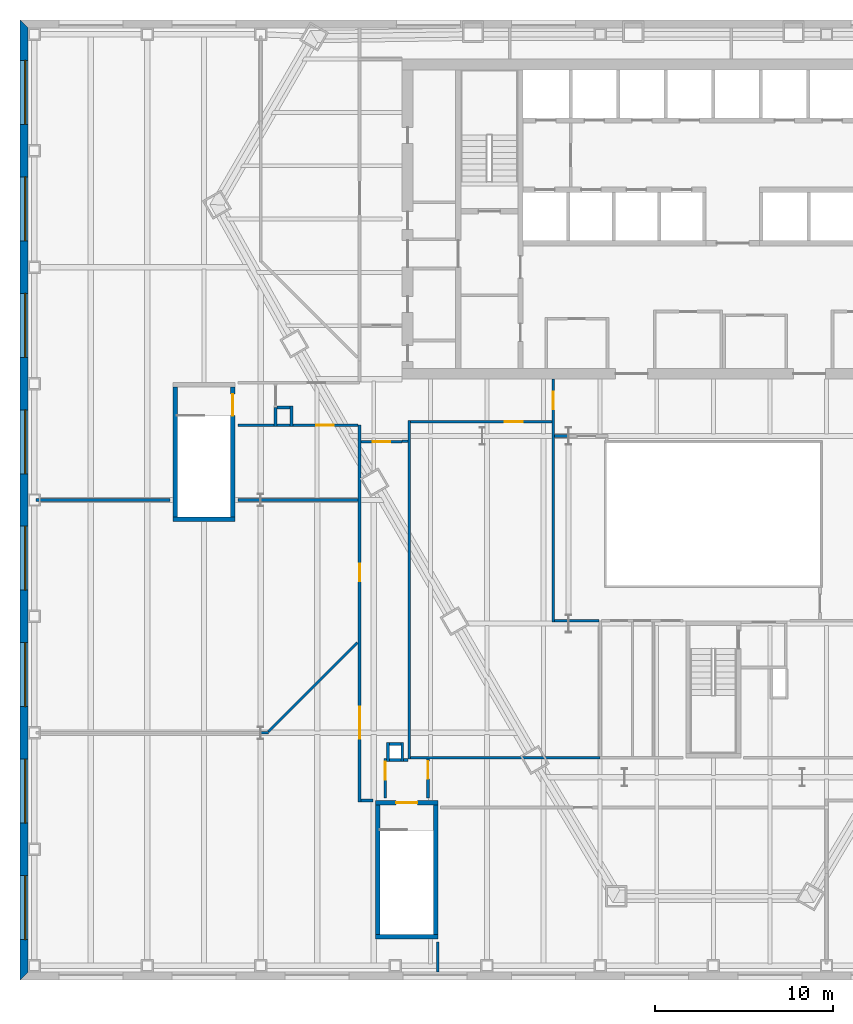
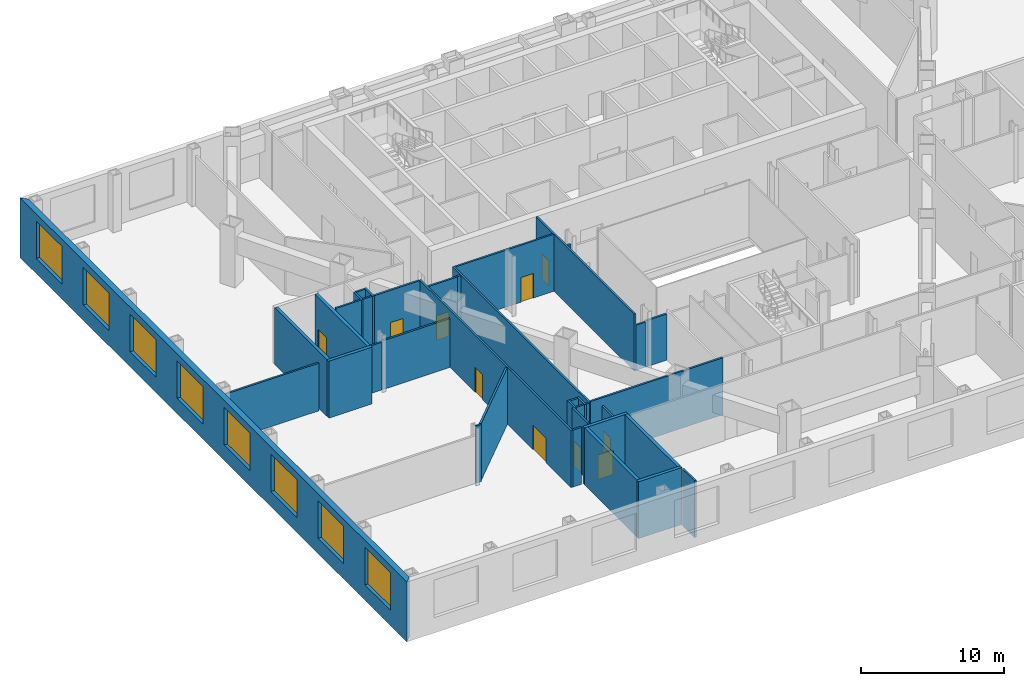
# One storey, part 8 of 17: 38 walls, 10 doors, 8 windows, 18 openings.
"""IFC4 building model written with IfcOpenShell, lengths in metres."""

from ifc_helpers import new_model, si_unit, direction, frame, frame_2d, origin, place, context, subcontext, project, spatial, polyline, rectangle, outline, extrude, material, layer, layer_set, type_object, element, fill, save


model = new_model("IFC4")

# Units and contexts
model_context = context("Model", 3, precision=1e-05, world=origin(), true_north=direction((0.0, 1.0)))
body_context = subcontext(model_context, "Body", "Model", "MODEL_VIEW")
ifc_project = project(units=[si_unit("LENGTHUNIT", "METRE"), si_unit("AREAUNIT", "SQUARE_METRE"), si_unit("VOLUMEUNIT", "CUBIC_METRE"), si_unit("PLANEANGLEUNIT", "RADIAN"), si_unit("MASSUNIT", "GRAM", prefix="KILO")], contexts=[model_context])

# Site, building, storey
site_placement = place(None, origin())
site = spatial("IfcSite", under=ifc_project, at=site_placement, CompositionType="ELEMENT")
building_placement = place(site_placement, origin())
building = spatial("IfcBuilding", under=site, at=building_placement, Name="Njiva Tower", CompositionType="ELEMENT")
storey_placement = place(building_placement, frame((0.0, 0.0, 23.7)))
storey = spatial("IfcBuildingStorey", under=building, at=storey_placement, Name="L04", CompositionType="ELEMENT", Elevation=23.7)

# Walls
ifc_material_1 = material(Name="Gypsum board on steel studs", Category="gypsum")
ifc_layer_1 = layer(ifc_material_1, 0.15)
ifc_layer_set_1 = layer_set([ifc_layer_1], Name="Gypsum board on steel studs")
wall_type_1 = type_object("IfcWallType", Name="WT21 Compartment wall 150", PredefinedType="PARTITIONING", material=ifc_layer_set_1)
wall_1_placement = place(storey_placement, frame((-25.467, -19.9, 0.0), z_axis=(0.0, 0.0, 1.0), x_axis=(1.0, 0.0, 0.0)))
element("IfcWall", 1, at=wall_1_placement, inside=storey, type_object=wall_type_1, Name="Partition L04-P001A", PredefinedType="PARTITIONING", context=body_context, shape_type="SweptSolid", body=[
    extrude(rectangle(XDim=0.441, YDim=0.15, at=frame_2d((0.2205, 0.0))), origin(), (0.0, 0.0, 1.0), 4.85),
])
wall_2_placement = place(storey_placement, frame((-38.1, -6.8, 0.0), z_axis=(0.0, 0.0, 1.0), x_axis=(1.0, 0.0, 0.0)))
element("IfcWall", 2, at=wall_2_placement, inside=storey, type_object=wall_type_1, Name="Partition L04-P002", PredefinedType="PARTITIONING", context=body_context, shape_type="SweptSolid", body=[
    extrude(rectangle(XDim=7.55, YDim=0.15, at=frame_2d((3.775, 0.0))), origin(), (0.0, 0.0, 1.0), 4.06),
])
wall_3_placement = place(storey_placement, frame((-26.75, -6.8, 0.0), z_axis=(0.0, 0.0, 1.0), x_axis=(1.0, 0.0, 0.0)))
element("IfcWall", 3, at=wall_3_placement, inside=storey, type_object=wall_type_1, Name="Partition L04-P003", PredefinedType="PARTITIONING", context=body_context, shape_type="SweptSolid", body=[
    extrude(rectangle(XDim=1.283, YDim=0.15, at=frame_2d((0.6415, 0.0))), origin(), (0.0, 0.0, 1.0), 4.06),
])
wall_4_placement = place(storey_placement, frame((-25.467, -6.8, 0.0), z_axis=(0.0, 0.0, 1.0), x_axis=(1.0, 0.0, 0.0)))
element("IfcWall", 4, at=wall_4_placement, inside=storey, type_object=wall_type_1, Name="Partition L04-P003A", PredefinedType="PARTITIONING", context=body_context, shape_type="SweptSolid", body=[
    extrude(rectangle(XDim=5.492, YDim=0.15, at=frame_2d((2.746, 0.0))), origin(), (0.0, 0.0, 1.0), 4.16),
])
wall_5_placement = place(storey_placement, frame((-26.75, -2.6, 0.0), z_axis=(0.0, 0.0, 1.0), x_axis=(1.0, 0.0, 0.0)))
element("IfcWall", 5, at=wall_5_placement, inside=storey, type_object=wall_type_1, Name="Partition L04-P004", PredefinedType="PARTITIONING", context=body_context, shape_type="SweptSolid", body=[
    extrude(rectangle(XDim=2.05, YDim=0.15, at=frame_2d((1.025, 0.0))), origin(), (0.0, 0.0, 1.0), 4.85),
])
wall_6_placement = place(storey_placement, frame((-25.026, -19.825, 0.0), z_axis=(0.0, 0.0, 1.0), x_axis=(0.707106781187, 0.707106781187, 0.0)))
element("IfcWall", 6, at=wall_6_placement, inside=storey, type_object=wall_type_1, Name="Partition L04-P008", PredefinedType="PARTITIONING", context=body_context, shape_type="SweptSolid", body=[
    extrude(rectangle(XDim=7.0682, YDim=0.15, at=frame_2d((3.5341, 0.0))), origin(), (0.0, 0.0, 1.0), 4.85),
])

# Wall, opening, door
wall_7_placement = place(storey_placement, frame((-23.65, -2.6, 0.0), z_axis=(0.0, 0.0, 1.0), x_axis=(1.0, 0.0, 0.0)))
wall_7 = element("IfcWall", 7, at=wall_7_placement, inside=storey, type_object=wall_type_1, Name="Partition L04-P014", PredefinedType="PARTITIONING", context=body_context, shape_type="SweptSolid", body=[
    extrude(rectangle(XDim=3.675, YDim=0.15, at=frame_2d((1.8375, 0.0))), origin(), (0.0, 0.0, 1.0), 4.85),
])
opening_1_placement = place(wall_7_placement, frame((1.312, 0.0, 0.0)))
opening_1 = element("IfcOpeningElement", 8, at=opening_1_placement, cuts=wall_7, Name="Opening L04-D003", PredefinedType="OPENING", context=body_context, shape_type="SweptSolid", body=[
    extrude(rectangle(XDim=1.0, YDim=2.1, at=frame_2d((0.5, 1.05))), frame((0.0, 0.085, 0.0), z_axis=(0.0, -1.0, 0.0), x_axis=(1.0, 0.0, 0.0)), (0.0, 0.0, 1.0), 0.17),
])
ifc_material_2 = material(Name="Steel fire door set", Category="steel")
door_type_1 = type_object("IfcDoorType", Name="D37 Fire door 1000x2100", OperationType="SINGLE_SWING_LEFT", PredefinedType="DOOR", material=ifc_material_2)
door_1_placement = place(opening_1_placement, origin())
door_1 = element("IfcDoor", 9, at=door_1_placement, inside=storey, type_object=door_type_1, Name="Door L04-D003", OperationType="SINGLE_SWING_LEFT", OverallHeight=2.1, OverallWidth=1.0, PredefinedType="DOOR", context=body_context, shape_type="SweptSolid", body=[
    extrude(rectangle(XDim=1.0, YDim=2.1, at=frame_2d((0.5, 1.05))), frame((0.0, 0.025, 0.0), z_axis=(0.0, -1.0, 0.0), x_axis=(1.0, 0.0, 0.0)), (0.0, 0.0, 1.0), 0.05),
])
fill(opening_1, door_1)

# Wall, openings, doors
wall_8_placement = place(storey_placement, frame((-19.9, -23.775, 0.0), z_axis=(0.0, 0.0, 1.0), x_axis=(0.0, 1.0, 0.0)))
wall_8 = element("IfcWall", 10, at=wall_8_placement, inside=storey, type_object=wall_type_1, Name="Partition L04-P016", PredefinedType="PARTITIONING", context=body_context, shape_type="SweptSolid", body=[
    extrude(rectangle(XDim=21.187, YDim=0.15, at=frame_2d((10.5935, 0.0))), origin(), (0.0, 0.0, 1.0), 4.85),
])
opening_2_placement = place(wall_8_placement, frame((3.548, 0.0, 0.0)))
opening_2 = element("IfcOpeningElement", 11, at=opening_2_placement, cuts=wall_8, Name="Opening L04-D004", PredefinedType="OPENING", context=body_context, shape_type="SweptSolid", body=[
    extrude(rectangle(XDim=1.8, YDim=2.1, at=frame_2d((0.9, 1.05))), frame((0.0, 0.085, 0.0), z_axis=(0.0, -1.0, 0.0), x_axis=(1.0, 0.0, 0.0)), (0.0, 0.0, 1.0), 0.17),
])
opening_3_placement = place(wall_8_placement, frame((12.399, 0.0, 0.0)))
opening_3 = element("IfcOpeningElement", 12, at=opening_3_placement, cuts=wall_8, Name="Opening L04-D005", PredefinedType="OPENING", context=body_context, shape_type="SweptSolid", body=[
    extrude(rectangle(XDim=1.0, YDim=2.1, at=frame_2d((0.5, 1.05))), frame((0.0, 0.085, 0.0), z_axis=(0.0, -1.0, 0.0), x_axis=(1.0, 0.0, 0.0)), (0.0, 0.0, 1.0), 0.17),
])
door_2_placement = place(opening_3_placement, origin())
door_2 = element("IfcDoor", 13, at=door_2_placement, inside=storey, type_object=door_type_1, Name="Door L04-D005", OperationType="SINGLE_SWING_LEFT", OverallHeight=2.1, OverallWidth=1.0, PredefinedType="DOOR", context=body_context, shape_type="SweptSolid", body=[
    extrude(rectangle(XDim=1.0, YDim=2.1, at=frame_2d((0.5, 1.05))), frame((0.0, 0.025, 0.0), z_axis=(0.0, -1.0, 0.0), x_axis=(1.0, 0.0, 0.0)), (0.0, 0.0, 1.0), 0.05),
])
fill(opening_3, door_2)
door_type_2 = type_object("IfcDoorType", Name="D38 Fire door 1800x2100", OperationType="DOUBLE_DOOR_SINGLE_SWING", PredefinedType="DOOR", material=ifc_material_2)
door_3_placement = place(opening_2_placement, origin())
door_3 = element("IfcDoor", 14, at=door_3_placement, inside=storey, type_object=door_type_2, Name="Door L04-D004", OperationType="DOUBLE_DOOR_SINGLE_SWING", OverallHeight=2.1, OverallWidth=1.8, PredefinedType="DOOR", context=body_context, shape_type="SweptSolid", body=[
    extrude(rectangle(XDim=1.8, YDim=2.1, at=frame_2d((0.9, 1.05))), frame((0.0, 0.025, 0.0), z_axis=(0.0, -1.0, 0.0), x_axis=(1.0, 0.0, 0.0)), (0.0, 0.0, 1.0), 0.05),
])
fill(opening_2, door_3)

# Wall
wall_9_placement = place(storey_placement, frame((-19.825, -23.7, 0.0), z_axis=(0.0, 0.0, 1.0), x_axis=(1.0, 0.0, 0.0)))
element("IfcWall", 15, at=wall_9_placement, inside=storey, type_object=wall_type_1, Name="Partition L04-P020", PredefinedType="PARTITIONING", context=body_context, shape_type="SweptSolid", body=[
    extrude(rectangle(XDim=0.675, YDim=0.15, at=frame_2d((0.3375, 0.0))), origin(), (0.0, 0.0, 1.0), 4.85),
])

# Wall, opening, door
wall_10_placement = place(storey_placement, frame((-19.825, -3.525, 0.0), z_axis=(0.0, 0.0, 1.0), x_axis=(1.0, 0.0, 0.0)))
wall_10 = element("IfcWall", 16, at=wall_10_placement, inside=storey, type_object=wall_type_1, Name="Partition L04-P021", PredefinedType="PARTITIONING", context=body_context, shape_type="SweptSolid", body=[
    extrude(rectangle(XDim=2.325, YDim=0.15, at=frame_2d((1.1625, 0.0))), origin(), (0.0, 0.0, 1.0), 4.85),
])
opening_4_placement = place(wall_10_placement, frame((0.662, 0.0, 0.0)))
opening_4 = element("IfcOpeningElement", 17, at=opening_4_placement, cuts=wall_10, Name="Opening L04-D007", PredefinedType="OPENING", context=body_context, shape_type="SweptSolid", body=[
    extrude(rectangle(XDim=1.0, YDim=2.1, at=frame_2d((0.5, 1.05))), frame((0.0, 0.085, 0.0), z_axis=(0.0, -1.0, 0.0), x_axis=(1.0, 0.0, 0.0)), (0.0, 0.0, 1.0), 0.17),
])
door_4_placement = place(opening_4_placement, origin())
door_4 = element("IfcDoor", 18, at=door_4_placement, inside=storey, type_object=door_type_1, Name="Door L04-D007", OperationType="SINGLE_SWING_RIGHT", OverallHeight=2.1, OverallWidth=1.0, PredefinedType="DOOR", context=body_context, shape_type="SweptSolid", body=[
    extrude(rectangle(XDim=1.0, YDim=2.1, at=frame_2d((0.5, 1.05))), frame((0.0, 0.025, 0.0), z_axis=(0.0, -1.0, 0.0), x_axis=(1.0, 0.0, 0.0)), (0.0, 0.0, 1.0), 0.05),
])
fill(opening_4, door_4)

wall_11_placement = place(storey_placement, frame((-18.45, -23.55, 0.0), z_axis=(0.0, 0.0, 1.0), x_axis=(0.0, 1.0, 0.0)))
wall_11 = element("IfcWall", 19, at=wall_11_placement, inside=storey, type_object=wall_type_1, Name="Partition L04-P023", PredefinedType="PARTITIONING", context=body_context, shape_type="SweptSolid", body=[
    extrude(rectangle(XDim=2.2, YDim=0.15, at=frame_2d((1.1, 0.0))), origin(), (0.0, 0.0, 1.0), 4.85),
])
opening_5_placement = place(wall_11_placement, frame((1.013, 0.0, 0.0)))
opening_5 = element("IfcOpeningElement", 20, at=opening_5_placement, cuts=wall_11, Name="Opening L04-D009", PredefinedType="OPENING", context=body_context, shape_type="SweptSolid", body=[
    extrude(rectangle(XDim=1.0, YDim=2.1, at=frame_2d((0.5, 1.05))), frame((0.0, 0.085, 0.0), z_axis=(0.0, -1.0, 0.0), x_axis=(1.0, 0.0, 0.0)), (0.0, 0.0, 1.0), 0.17),
])
ifc_material_3 = material(Name="Glazed steel fire door", Category="steel")
door_type_3 = type_object("IfcDoorType", Name="D41 Glazed fire door 1000x2100", OperationType="SINGLE_SWING_LEFT", PredefinedType="DOOR", material=ifc_material_3)
door_5_placement = place(opening_5_placement, origin())
door_5 = element("IfcDoor", 21, at=door_5_placement, inside=storey, type_object=door_type_3, Name="Door L04-D009", OperationType="SINGLE_SWING_RIGHT", OverallHeight=2.1, OverallWidth=1.0, PredefinedType="DOOR", context=body_context, shape_type="SweptSolid", body=[
    extrude(rectangle(XDim=1.0, YDim=2.1, at=frame_2d((0.5, 1.05))), frame((0.0, 0.025, 0.0), z_axis=(0.0, -1.0, 0.0), x_axis=(1.0, 0.0, 0.0)), (0.0, 0.0, 1.0), 0.05),
])
fill(opening_5, door_5)

# Walls
wall_12_placement = place(storey_placement, frame((-17.5, -3.5, 0.0), z_axis=(0.0, 0.0, 1.0), x_axis=(1.0, 0.0, 0.0)))
element("IfcWall", 22, at=wall_12_placement, inside=storey, type_object=wall_type_1, Name="Partition L04-P028", PredefinedType="PARTITIONING", context=body_context, shape_type="SweptSolid", body=[
    extrude(rectangle(XDim=0.325, YDim=0.15, at=frame_2d((0.1625, 0.0))), origin(), (0.0, 0.0, 1.0), 4.85),
])
wall_13_placement = place(storey_placement, frame((-17.425, -21.425, 0.0), z_axis=(0.0, 0.0, 1.0), x_axis=(1.0, 0.0, 0.0)))
element("IfcWall", 23, at=wall_13_placement, inside=storey, type_object=wall_type_1, Name="Partition L04-P029", PredefinedType="PARTITIONING", context=body_context, shape_type="SweptSolid", body=[
    extrude(rectangle(XDim=0.25, YDim=0.15, at=frame_2d((0.125, 0.0))), origin(), (0.0, 0.0, 1.0), 4.85),
])
wall_14_placement = place(storey_placement, frame((-17.1, -21.375, 0.0), z_axis=(0.0, 0.0, 1.0), x_axis=(0.0, 1.0, 0.0)))
element("IfcWall", 24, at=wall_14_placement, inside=storey, type_object=wall_type_1, Name="Partition L04-P030", PredefinedType="PARTITIONING", context=body_context, shape_type="SweptSolid", body=[
    extrude(rectangle(XDim=19.05, YDim=0.15, at=frame_2d((9.525, 0.0))), origin(), (0.0, 0.0, 1.0), 4.85),
])
wall_15_placement = place(storey_placement, frame((-17.025, -21.3, 0.0), z_axis=(0.0, 0.0, 1.0), x_axis=(1.0, 0.0, 0.0)))
element("IfcWall", 25, at=wall_15_placement, inside=storey, type_object=wall_type_1, Name="Partition L04-P031", PredefinedType="PARTITIONING", context=body_context, shape_type="SweptSolid", body=[
    extrude(rectangle(XDim=10.654, YDim=0.15, at=frame_2d((5.327, 0.0))), origin(), (0.0, 0.0, 1.0), 4.85),
])

# Wall, opening, door
wall_16_placement = place(storey_placement, frame((-17.025, -2.4, 0.0), z_axis=(0.0, 0.0, 1.0), x_axis=(1.0, 0.0, 0.0)))
wall_16 = element("IfcWall", 26, at=wall_16_placement, inside=storey, type_object=wall_type_1, Name="Partition L04-P032", PredefinedType="PARTITIONING", context=body_context, shape_type="SweptSolid", body=[
    extrude(rectangle(XDim=7.95, YDim=0.15, at=frame_2d((3.975, 0.0))), origin(), (0.0, 0.0, 1.0), 4.85),
])
opening_6_placement = place(wall_16_placement, frame((5.294, 0.0, 0.0)))
opening_6 = element("IfcOpeningElement", 27, at=opening_6_placement, cuts=wall_16, Name="Opening L04-D010", PredefinedType="OPENING", context=body_context, shape_type="SweptSolid", body=[
    extrude(rectangle(XDim=1.0, YDim=2.1, at=frame_2d((0.5, 1.05))), frame((0.0, 0.085, 0.0), z_axis=(0.0, -1.0, 0.0), x_axis=(1.0, 0.0, 0.0)), (0.0, 0.0, 1.0), 0.17),
])
door_6_placement = place(opening_6_placement, origin())
door_6 = element("IfcDoor", 28, at=door_6_placement, inside=storey, type_object=door_type_1, Name="Door L04-D010", OperationType="SINGLE_SWING_RIGHT", OverallHeight=2.1, OverallWidth=1.0, PredefinedType="DOOR", context=body_context, shape_type="SweptSolid", body=[
    extrude(rectangle(XDim=1.0, YDim=2.1, at=frame_2d((0.5, 1.05))), frame((0.0, 0.025, 0.0), z_axis=(0.0, -1.0, 0.0), x_axis=(1.0, 0.0, 0.0)), (0.0, 0.0, 1.0), 0.05),
])
fill(opening_6, door_6)

wall_17_placement = place(storey_placement, frame((-16.05, -23.55, 0.0), z_axis=(0.0, 0.0, 1.0), x_axis=(0.0, 1.0, 0.0)))
wall_17 = element("IfcWall", 29, at=wall_17_placement, inside=storey, type_object=wall_type_1, Name="Partition L04-P033", PredefinedType="PARTITIONING", context=body_context, shape_type="SweptSolid", body=[
    extrude(rectangle(XDim=2.175, YDim=0.15, at=frame_2d((1.0875, 0.0))), origin(), (0.0, 0.0, 1.0), 4.16),
])
opening_7_placement = place(wall_17_placement, frame((1.063, 0.0, 0.0)))
opening_7 = element("IfcOpeningElement", 30, at=opening_7_placement, cuts=wall_17, Name="Opening L04-D011", PredefinedType="OPENING", context=body_context, shape_type="SweptSolid", body=[
    extrude(rectangle(XDim=1.0, YDim=2.1, at=frame_2d((0.5, 1.05))), frame((0.0, 0.085, 0.0), z_axis=(0.0, -1.0, 0.0), x_axis=(1.0, 0.0, 0.0)), (0.0, 0.0, 1.0), 0.17),
])
door_7_placement = place(opening_7_placement, origin())
door_7 = element("IfcDoor", 31, at=door_7_placement, inside=storey, type_object=door_type_3, Name="Door L04-D011", OperationType="SINGLE_SWING_LEFT", OverallHeight=2.1, OverallWidth=1.0, PredefinedType="DOOR", context=body_context, shape_type="SweptSolid", body=[
    extrude(rectangle(XDim=1.0, YDim=2.1, at=frame_2d((0.5, 1.05))), frame((0.0, 0.025, 0.0), z_axis=(0.0, -1.0, 0.0), x_axis=(1.0, 0.0, 0.0)), (0.0, 0.0, 1.0), 0.05),
])
fill(opening_7, door_7)

# Wall
wall_18_placement = place(storey_placement, frame((-15.5, -33.35, 0.0), z_axis=(0.0, 0.0, 1.0), x_axis=(0.0, 1.0, 0.0)))
element("IfcWall", 32, at=wall_18_placement, inside=storey, type_object=wall_type_1, Name="Partition L04-P034", PredefinedType="PARTITIONING", context=body_context, shape_type="SweptSolid", body=[
    extrude(rectangle(XDim=1.7, YDim=0.15, at=frame_2d((0.85, 0.0))), origin(), (0.0, 0.0, 1.0), 4.85),
])

# Wall, opening, door
wall_19_placement = place(storey_placement, frame((-9.0, -13.675, 0.0), z_axis=(0.0, 0.0, 1.0), x_axis=(0.0, 1.0, 0.0)))
wall_19 = element("IfcWall", 33, at=wall_19_placement, inside=storey, type_object=wall_type_1, Name="Partition L04-P037", PredefinedType="PARTITIONING", context=body_context, shape_type="SweptSolid", body=[
    extrude(rectangle(XDim=13.675, YDim=0.15, at=frame_2d((6.8375, 0.0))), origin(), (0.0, 0.0, 1.0), 4.85),
])
opening_8_placement = place(wall_19_placement, frame((11.975, 0.0, 0.0)))
opening_8 = element("IfcOpeningElement", 34, at=opening_8_placement, cuts=wall_19, Name="Opening L04-D013", PredefinedType="OPENING", context=body_context, shape_type="SweptSolid", body=[
    extrude(rectangle(XDim=1.0, YDim=2.1, at=frame_2d((0.5, 1.05))), frame((0.0, 0.085, 0.0), z_axis=(0.0, -1.0, 0.0), x_axis=(1.0, 0.0, 0.0)), (0.0, 0.0, 1.0), 0.17),
])
door_8_placement = place(opening_8_placement, origin())
door_8 = element("IfcDoor", 35, at=door_8_placement, inside=storey, type_object=door_type_1, Name="Door L04-D013", OperationType="SINGLE_SWING_LEFT", OverallHeight=2.1, OverallWidth=1.0, PredefinedType="DOOR", context=body_context, shape_type="SweptSolid", body=[
    extrude(rectangle(XDim=1.0, YDim=2.1, at=frame_2d((0.5, 1.05))), frame((0.0, 0.025, 0.0), z_axis=(0.0, -1.0, 0.0), x_axis=(1.0, 0.0, 0.0)), (0.0, 0.0, 1.0), 0.05),
])
fill(opening_8, door_8)

# Walls
wall_20_placement = place(storey_placement, frame((-8.925, -13.6, 0.0), z_axis=(0.0, 0.0, 1.0), x_axis=(1.0, 0.0, 0.0)))
element("IfcWall", 36, at=wall_20_placement, inside=storey, type_object=wall_type_1, Name="Partition L04-P038", PredefinedType="PARTITIONING", context=body_context, shape_type="SweptSolid", body=[
    extrude(rectangle(XDim=0.775, YDim=0.15, at=frame_2d((0.3875, 0.0))), origin(), (0.0, 0.0, 1.0), 3.842),
])
wall_21_placement = place(storey_placement, frame((-8.15, -13.6, 0.0), z_axis=(0.0, 0.0, 1.0), x_axis=(1.0, 0.0, 0.0)))
element("IfcWall", 37, at=wall_21_placement, inside=storey, type_object=wall_type_1, Name="Partition L04-P038A", PredefinedType="PARTITIONING", context=body_context, shape_type="SweptSolid", body=[
    extrude(rectangle(XDim=1.708, YDim=0.15, at=frame_2d((0.854, 0.0))), origin(), (0.0, 0.0, 1.0), 3.94),
])
wall_22_placement = place(storey_placement, frame((-8.925, -3.2, 0.0), z_axis=(0.0, 0.0, 1.0), x_axis=(1.0, 0.0, 0.0)))
element("IfcWall", 38, at=wall_22_placement, inside=storey, type_object=wall_type_1, Name="Partition L04-P039", PredefinedType="PARTITIONING", context=body_context, shape_type="SweptSolid", body=[
    extrude(rectangle(XDim=0.775, YDim=0.15, at=frame_2d((0.3875, 0.0))), origin(), (0.0, 0.0, 1.0), 4.16),
])
ifc_layer_2 = layer(ifc_material_1, 0.15)
ifc_layer_set_2 = layer_set([ifc_layer_2], Name="Gypsum board on steel studs")
wall_type_2 = type_object("IfcWallType", Name="WT24 Riser room wall 150", PredefinedType="PARTITIONING", material=ifc_layer_set_2)
wall_23_placement = place(storey_placement, frame((-24.625, -2.675, 0.0), z_axis=(0.0, 0.0, 1.0), x_axis=(0.0, 1.0, 0.0)))
element("IfcWall", 39, at=wall_23_placement, inside=storey, type_object=wall_type_2, Name="Partition L04-P009", PredefinedType="PARTITIONING", context=body_context, shape_type="SweptSolid", body=[
    extrude(rectangle(XDim=1.087, YDim=0.15, at=frame_2d((0.5435, 0.0))), origin(), (0.0, 0.0, 1.0), 4.85),
])
for number, where, z_axis, x_axis, name in (
    (40, (-24.55, -2.6, 0.0), (0.0, 0.0, 1.0), (1.0, 0.0, 0.0), "Partition L04-P011"),
    (41, (-24.55, -1.6, 0.0), (0.0, 0.0, 1.0), (1.0, 0.0, 0.0), "Partition L04-P012"),
):
    element("IfcWall", number, at=place(storey_placement, frame(where, z_axis=z_axis, x_axis=x_axis)), inside=storey, type_object=wall_type_2, Name=name, PredefinedType="PARTITIONING", context=body_context, shape_type="SweptSolid", body=[
        extrude(rectangle(XDim=0.75, YDim=0.15, at=frame_2d((0.375, 0.0))), origin(), (0.0, 0.0, 1.0), 4.85),
    ])
wall_24_placement = place(storey_placement, frame((-23.725, -2.675, 0.0), z_axis=(0.0, 0.0, 1.0), x_axis=(0.0, 1.0, 0.0)))
element("IfcWall", 42, at=wall_24_placement, inside=storey, type_object=wall_type_2, Name="Partition L04-P013", PredefinedType="PARTITIONING", context=body_context, shape_type="SweptSolid", body=[
    extrude(rectangle(XDim=1.15, YDim=0.15, at=frame_2d((0.575, 0.0))), origin(), (0.0, 0.0, 1.0), 4.85),
])
wall_25_placement = place(storey_placement, frame((-18.3, -21.5, 0.0), z_axis=(0.0, 0.0, 1.0), x_axis=(0.0, 1.0, 0.0)))
element("IfcWall", 43, at=wall_25_placement, inside=storey, type_object=wall_type_2, Name="Partition L04-P024", PredefinedType="PARTITIONING", context=body_context, shape_type="SweptSolid", body=[
    extrude(rectangle(XDim=1.05, YDim=0.15, at=frame_2d((0.525, 0.0))), origin(), (0.0, 0.0, 1.0), 4.85),
])
for number, where, z_axis, x_axis, name in (
    (44, (-18.225, -21.425, 0.0), (0.0, 0.0, 1.0), (1.0, 0.0, 0.0), "Partition L04-P025"),
    (45, (-18.225, -20.525, 0.0), (0.0, 0.0, 1.0), (1.0, 0.0, 0.0), "Partition L04-P026"),
):
    element("IfcWall", number, at=place(storey_placement, frame(where, z_axis=z_axis, x_axis=x_axis)), inside=storey, type_object=wall_type_2, Name=name, PredefinedType="PARTITIONING", context=body_context, shape_type="SweptSolid", body=[
        extrude(rectangle(XDim=0.65, YDim=0.15, at=frame_2d((0.325, 0.0))), origin(), (0.0, 0.0, 1.0), 4.85),
    ])
wall_26_placement = place(storey_placement, frame((-17.5, -21.5, 0.0), z_axis=(0.0, 0.0, 1.0), x_axis=(0.0, 1.0, 0.0)))
element("IfcWall", 46, at=wall_26_placement, inside=storey, type_object=wall_type_2, Name="Partition L04-P027", PredefinedType="PARTITIONING", context=body_context, shape_type="SweptSolid", body=[
    extrude(rectangle(XDim=1.05, YDim=0.15, at=frame_2d((0.525, 0.0))), origin(), (0.0, 0.0, 1.0), 4.85),
])
ifc_material_4 = material(Name="Concrete C40/50", Category="concrete")
ifc_layer_3 = layer(ifc_material_4, 0.25)
ifc_layer_set_3 = layer_set([ifc_layer_3], Name="Concrete C40/50")
wall_type_3 = type_object("IfcWallType", Name="WT9 Stair enclosure wall 250", PredefinedType="SHEAR", material=ifc_layer_set_3)
for number, where, z_axis, x_axis, name in (
    (47, (-18.875, -31.25, 0.0), (0.0, 0.0, 1.0), (0.0, 1.0, 0.0), "Stair D wall west"),
    (48, (-15.625, -31.25, 0.0), (0.0, 0.0, 1.0), (0.0, 1.0, 0.0), "Stair D wall east"),
):
    element("IfcWall", number, at=place(storey_placement, frame(where, z_axis=z_axis, x_axis=x_axis)), inside=storey, type_object=wall_type_3, Name=name, PredefinedType="SHEAR", context=body_context, shape_type="SweptSolid", body=[
        extrude(rectangle(XDim=7.3, YDim=0.25, at=frame_2d((3.65, 0.0))), origin(), (0.0, 0.0, 1.0), 4.85),
    ])
wall_27_placement = place(storey_placement, frame((-19.0, -31.375, 0.0), z_axis=(0.0, 0.0, 1.0), x_axis=(1.0, 0.0, 0.0)))
element("IfcWall", 49, at=wall_27_placement, inside=storey, type_object=wall_type_3, Name="Stair D wall south", PredefinedType="SHEAR", context=body_context, shape_type="SweptSolid", body=[
    extrude(rectangle(XDim=3.5, YDim=0.25, at=frame_2d((1.75, 0.0))), origin(), (0.0, 0.0, 1.0), 4.85),
])

# Wall, opening, door
wall_28_placement = place(storey_placement, frame((-19.0, -23.825, 0.0), z_axis=(0.0, 0.0, 1.0), x_axis=(1.0, 0.0, 0.0)))
wall_28 = element("IfcWall", 50, at=wall_28_placement, inside=storey, type_object=wall_type_3, Name="Stair D wall north", PredefinedType="SHEAR", context=body_context, shape_type="SweptSolid", body=[
    extrude(rectangle(XDim=3.5, YDim=0.25, at=frame_2d((1.75, 0.0))), origin(), (0.0, 0.0, 1.0), 4.85),
])
opening_9_placement = place(wall_28_placement, frame((1.15, 0.0, 0.0)))
opening_9 = element("IfcOpeningElement", 51, at=opening_9_placement, cuts=wall_28, Name="Opening L04-D941", PredefinedType="OPENING", context=body_context, shape_type="SweptSolid", body=[
    extrude(rectangle(XDim=1.2, YDim=2.1, at=frame_2d((0.6, 1.05))), frame((0.0, 0.135, 0.0), z_axis=(0.0, -1.0, 0.0), x_axis=(1.0, 0.0, 0.0)), (0.0, 0.0, 1.0), 0.27),
])
ifc_material_5 = material(Name="Steel door, painted", Category="steel")
door_type_4 = type_object("IfcDoorType", Name="D1 Stair door 1200x2100", OperationType="SINGLE_SWING_LEFT", PredefinedType="DOOR", material=ifc_material_5)
door_9_placement = place(opening_9_placement, origin())
door_9 = element("IfcDoor", 52, at=door_9_placement, inside=storey, type_object=door_type_4, Name="Stair D door", OperationType="SINGLE_SWING_LEFT", OverallHeight=2.1, OverallWidth=1.2, PredefinedType="DOOR", context=body_context, shape_type="SweptSolid", body=[
    extrude(rectangle(XDim=1.2, YDim=2.1, at=frame_2d((0.6, 1.05))), frame((0.0, 0.025, 0.0), z_axis=(0.0, -1.0, 0.0), x_axis=(1.0, 0.0, 0.0)), (0.0, 0.0, 1.0), 0.05),
])
fill(opening_9, door_9)

# Wall
wall_29_placement = place(storey_placement, frame((-30.275, -7.75, 0.0), z_axis=(0.0, 0.0, 1.0), x_axis=(0.0, 1.0, 0.0)))
element("IfcWall", 53, at=wall_29_placement, inside=storey, type_object=wall_type_3, Name="Stair F wall west", PredefinedType="SHEAR", context=body_context, shape_type="SweptSolid", body=[
    extrude(rectangle(XDim=7.3, YDim=0.25, at=frame_2d((3.65, 0.0))), origin(), (0.0, 0.0, 1.0), 4.85),
])

# Wall, opening, door
wall_30_placement = place(storey_placement, frame((-27.025, -7.75, 0.0), z_axis=(0.0, 0.0, 1.0), x_axis=(0.0, 1.0, 0.0)))
wall_30 = element("IfcWall", 54, at=wall_30_placement, inside=storey, type_object=wall_type_3, Name="Stair F wall east", PredefinedType="SHEAR", context=body_context, shape_type="SweptSolid", body=[
    extrude(rectangle(XDim=7.3, YDim=0.25, at=frame_2d((3.65, 0.0))), origin(), (0.0, 0.0, 1.0), 4.85),
])
opening_10_placement = place(wall_30_placement, frame((5.7, 0.0, 0.0)))
opening_10 = element("IfcOpeningElement", 55, at=opening_10_placement, cuts=wall_30, Name="Opening L04-D943", PredefinedType="OPENING", context=body_context, shape_type="SweptSolid", body=[
    extrude(rectangle(XDim=1.2, YDim=2.1, at=frame_2d((0.6, 1.05))), frame((0.0, 0.135, 0.0), z_axis=(0.0, -1.0, 0.0), x_axis=(1.0, 0.0, 0.0)), (0.0, 0.0, 1.0), 0.27),
])
door_10_placement = place(opening_10_placement, origin())
door_10 = element("IfcDoor", 56, at=door_10_placement, inside=storey, type_object=door_type_4, Name="Stair F door", OperationType="SINGLE_SWING_LEFT", OverallHeight=2.1, OverallWidth=1.2, PredefinedType="DOOR", context=body_context, shape_type="SweptSolid", body=[
    extrude(rectangle(XDim=1.2, YDim=2.1, at=frame_2d((0.6, 1.05))), frame((0.0, 0.025, 0.0), z_axis=(0.0, -1.0, 0.0), x_axis=(1.0, 0.0, 0.0)), (0.0, 0.0, 1.0), 0.05),
])
fill(opening_10, door_10)

# Wall
wall_31_placement = place(storey_placement, frame((-30.4, -7.875, 0.0), z_axis=(0.0, 0.0, 1.0), x_axis=(1.0, 0.0, 0.0)))
element("IfcWall", 57, at=wall_31_placement, inside=storey, type_object=wall_type_3, Name="Stair F wall south", PredefinedType="SHEAR", context=body_context, shape_type="SweptSolid", body=[
    extrude(rectangle(XDim=3.5, YDim=0.25, at=frame_2d((1.75, 0.0))), origin(), (0.0, 0.0, 1.0), 4.85),
])

# Wall, openings, windows
ifc_material_6 = material(Name="Brick masonry", Category="masonry")
ifc_layer_4 = layer(ifc_material_6, 0.45)
ifc_layer_set_4 = layer_set([ifc_layer_4], Name="Brick masonry")
wall_type_4 = type_object("IfcWallType", Name="WT90 Brick pier and spandrel wall 450", PredefinedType="SOLIDWALL", material=ifc_layer_set_4)
wall_32_placement = place(storey_placement, frame((-38.775, 19.975, -0.4), z_axis=(0.0, 0.0, 1.0), x_axis=(0.0, -1.0, 0.0)))
wall_32 = element("IfcWall", 58, at=wall_32_placement, inside=storey, type_object=wall_type_4, Name="Podium wall W", PredefinedType="SOLIDWALL", context=body_context, shape_type="SweptSolid", body=[
    extrude(outline(polyline([(-0.225, -0.225), (53.775, -0.225), (53.325, 0.225), (0.225, 0.225), (-0.225, -0.225)])), origin(), (0.0, 0.0, 1.0), 5.1),
])
opening_11_placement = place(wall_32_placement, frame((2.05, 0.0, 1.3)))
opening_11 = element("IfcOpeningElement", 59, at=opening_11_placement, cuts=wall_32, Name="Opening L04-W17", PredefinedType="OPENING", context=body_context, shape_type="SweptSolid", body=[
    extrude(rectangle(XDim=3.6, YDim=3.2, at=frame_2d((1.8, 1.6))), frame((0.0, 0.235, 0.0), z_axis=(0.0, -1.0, 0.0), x_axis=(1.0, 0.0, 0.0)), (0.0, 0.0, 1.0), 0.47),
])
opening_12_placement = place(wall_32_placement, frame((8.6, 0.0, 1.3)))
opening_12 = element("IfcOpeningElement", 60, at=opening_12_placement, cuts=wall_32, Name="Opening L04-W18", PredefinedType="OPENING", context=body_context, shape_type="SweptSolid", body=[
    extrude(rectangle(XDim=3.6, YDim=3.2, at=frame_2d((1.8, 1.6))), frame((0.0, 0.235, 0.0), z_axis=(0.0, -1.0, 0.0), x_axis=(1.0, 0.0, 0.0)), (0.0, 0.0, 1.0), 0.47),
])
opening_13_placement = place(wall_32_placement, frame((15.15, 0.0, 1.3)))
opening_13 = element("IfcOpeningElement", 61, at=opening_13_placement, cuts=wall_32, Name="Opening L04-W19", PredefinedType="OPENING", context=body_context, shape_type="SweptSolid", body=[
    extrude(rectangle(XDim=3.6, YDim=3.2, at=frame_2d((1.8, 1.6))), frame((0.0, 0.235, 0.0), z_axis=(0.0, -1.0, 0.0), x_axis=(1.0, 0.0, 0.0)), (0.0, 0.0, 1.0), 0.47),
])
opening_14_placement = place(wall_32_placement, frame((21.7, 0.0, 1.3)))
opening_14 = element("IfcOpeningElement", 62, at=opening_14_placement, cuts=wall_32, Name="Opening L04-W20", PredefinedType="OPENING", context=body_context, shape_type="SweptSolid", body=[
    extrude(rectangle(XDim=3.6, YDim=3.2, at=frame_2d((1.8, 1.6))), frame((0.0, 0.235, 0.0), z_axis=(0.0, -1.0, 0.0), x_axis=(1.0, 0.0, 0.0)), (0.0, 0.0, 1.0), 0.47),
])
opening_15_placement = place(wall_32_placement, frame((28.25, 0.0, 1.3)))
opening_15 = element("IfcOpeningElement", 63, at=opening_15_placement, cuts=wall_32, Name="Opening L04-W21", PredefinedType="OPENING", context=body_context, shape_type="SweptSolid", body=[
    extrude(rectangle(XDim=3.6, YDim=3.2, at=frame_2d((1.8, 1.6))), frame((0.0, 0.235, 0.0), z_axis=(0.0, -1.0, 0.0), x_axis=(1.0, 0.0, 0.0)), (0.0, 0.0, 1.0), 0.47),
])
opening_16_placement = place(wall_32_placement, frame((34.8, 0.0, 1.3)))
opening_16 = element("IfcOpeningElement", 64, at=opening_16_placement, cuts=wall_32, Name="Opening L04-W22", PredefinedType="OPENING", context=body_context, shape_type="SweptSolid", body=[
    extrude(rectangle(XDim=3.6, YDim=3.2, at=frame_2d((1.8, 1.6))), frame((0.0, 0.235, 0.0), z_axis=(0.0, -1.0, 0.0), x_axis=(1.0, 0.0, 0.0)), (0.0, 0.0, 1.0), 0.47),
])
opening_17_placement = place(wall_32_placement, frame((41.35, 0.0, 1.3)))
opening_17 = element("IfcOpeningElement", 65, at=opening_17_placement, cuts=wall_32, Name="Opening L04-W23", PredefinedType="OPENING", context=body_context, shape_type="SweptSolid", body=[
    extrude(rectangle(XDim=3.6, YDim=3.2, at=frame_2d((1.8, 1.6))), frame((0.0, 0.235, 0.0), z_axis=(0.0, -1.0, 0.0), x_axis=(1.0, 0.0, 0.0)), (0.0, 0.0, 1.0), 0.47),
])
opening_18_placement = place(wall_32_placement, frame((47.9, 0.0, 1.3)))
opening_18 = element("IfcOpeningElement", 66, at=opening_18_placement, cuts=wall_32, Name="Opening L04-W24", PredefinedType="OPENING", context=body_context, shape_type="SweptSolid", body=[
    extrude(rectangle(XDim=3.6, YDim=3.2, at=frame_2d((1.8, 1.6))), frame((0.0, 0.235, 0.0), z_axis=(0.0, -1.0, 0.0), x_axis=(1.0, 0.0, 0.0)), (0.0, 0.0, 1.0), 0.47),
])
ifc_material_7 = material(Name="Clear glazing in aluminium frame", Category="aluminium")
window_type = type_object("IfcWindowType", Name="W98 Deep-set window 3600x3200", PartitioningType="SINGLE_PANEL", PredefinedType="WINDOW", material=ifc_material_7)
window_1_placement = place(opening_11_placement, origin())
window_1 = element("IfcWindow", 67, at=window_1_placement, inside=storey, type_object=window_type, Name="Window", OverallHeight=3.2, OverallWidth=3.6, PartitioningType="SINGLE_PANEL", PredefinedType="WINDOW", context=body_context, shape_type="SweptSolid", body=[
    extrude(rectangle(XDim=3.6, YDim=3.2, at=frame_2d((1.8, 1.6))), frame((0.0, 0.105, 0.0), z_axis=(0.0, -1.0, 0.0), x_axis=(1.0, 0.0, 0.0)), (0.0, 0.0, 1.0), 0.06),
])
fill(opening_11, window_1)
window_2_placement = place(opening_12_placement, origin())
window_2 = element("IfcWindow", 68, at=window_2_placement, inside=storey, type_object=window_type, Name="Window", OverallHeight=3.2, OverallWidth=3.6, PartitioningType="SINGLE_PANEL", PredefinedType="WINDOW", context=body_context, shape_type="SweptSolid", body=[
    extrude(rectangle(XDim=3.6, YDim=3.2, at=frame_2d((1.8, 1.6))), frame((0.0, 0.105, 0.0), z_axis=(0.0, -1.0, 0.0), x_axis=(1.0, 0.0, 0.0)), (0.0, 0.0, 1.0), 0.06),
])
fill(opening_12, window_2)
window_3_placement = place(opening_13_placement, origin())
window_3 = element("IfcWindow", 69, at=window_3_placement, inside=storey, type_object=window_type, Name="Window", OverallHeight=3.2, OverallWidth=3.6, PartitioningType="SINGLE_PANEL", PredefinedType="WINDOW", context=body_context, shape_type="SweptSolid", body=[
    extrude(rectangle(XDim=3.6, YDim=3.2, at=frame_2d((1.8, 1.6))), frame((0.0, 0.105, 0.0), z_axis=(0.0, -1.0, 0.0), x_axis=(1.0, 0.0, 0.0)), (0.0, 0.0, 1.0), 0.06),
])
fill(opening_13, window_3)
window_4_placement = place(opening_14_placement, origin())
window_4 = element("IfcWindow", 70, at=window_4_placement, inside=storey, type_object=window_type, Name="Window", OverallHeight=3.2, OverallWidth=3.6, PartitioningType="SINGLE_PANEL", PredefinedType="WINDOW", context=body_context, shape_type="SweptSolid", body=[
    extrude(rectangle(XDim=3.6, YDim=3.2, at=frame_2d((1.8, 1.6))), frame((0.0, 0.105, 0.0), z_axis=(0.0, -1.0, 0.0), x_axis=(1.0, 0.0, 0.0)), (0.0, 0.0, 1.0), 0.06),
])
fill(opening_14, window_4)
window_5_placement = place(opening_15_placement, origin())
window_5 = element("IfcWindow", 71, at=window_5_placement, inside=storey, type_object=window_type, Name="Window", OverallHeight=3.2, OverallWidth=3.6, PartitioningType="SINGLE_PANEL", PredefinedType="WINDOW", context=body_context, shape_type="SweptSolid", body=[
    extrude(rectangle(XDim=3.6, YDim=3.2, at=frame_2d((1.8, 1.6))), frame((0.0, 0.105, 0.0), z_axis=(0.0, -1.0, 0.0), x_axis=(1.0, 0.0, 0.0)), (0.0, 0.0, 1.0), 0.06),
])
fill(opening_15, window_5)
window_6_placement = place(opening_16_placement, origin())
window_6 = element("IfcWindow", 72, at=window_6_placement, inside=storey, type_object=window_type, Name="Window", OverallHeight=3.2, OverallWidth=3.6, PartitioningType="SINGLE_PANEL", PredefinedType="WINDOW", context=body_context, shape_type="SweptSolid", body=[
    extrude(rectangle(XDim=3.6, YDim=3.2, at=frame_2d((1.8, 1.6))), frame((0.0, 0.105, 0.0), z_axis=(0.0, -1.0, 0.0), x_axis=(1.0, 0.0, 0.0)), (0.0, 0.0, 1.0), 0.06),
])
fill(opening_16, window_6)
window_7_placement = place(opening_17_placement, origin())
window_7 = element("IfcWindow", 73, at=window_7_placement, inside=storey, type_object=window_type, Name="Window", OverallHeight=3.2, OverallWidth=3.6, PartitioningType="SINGLE_PANEL", PredefinedType="WINDOW", context=body_context, shape_type="SweptSolid", body=[
    extrude(rectangle(XDim=3.6, YDim=3.2, at=frame_2d((1.8, 1.6))), frame((0.0, 0.105, 0.0), z_axis=(0.0, -1.0, 0.0), x_axis=(1.0, 0.0, 0.0)), (0.0, 0.0, 1.0), 0.06),
])
fill(opening_17, window_7)
window_8_placement = place(opening_18_placement, origin())
window_8 = element("IfcWindow", 74, at=window_8_placement, inside=storey, type_object=window_type, Name="Window", OverallHeight=3.2, OverallWidth=3.6, PartitioningType="SINGLE_PANEL", PredefinedType="WINDOW", context=body_context, shape_type="SweptSolid", body=[
    extrude(rectangle(XDim=3.6, YDim=3.2, at=frame_2d((1.8, 1.6))), frame((0.0, 0.105, 0.0), z_axis=(0.0, -1.0, 0.0), x_axis=(1.0, 0.0, 0.0)), (0.0, 0.0, 1.0), 0.06),
])
fill(opening_18, window_8)

save(model, "model.ifc")
